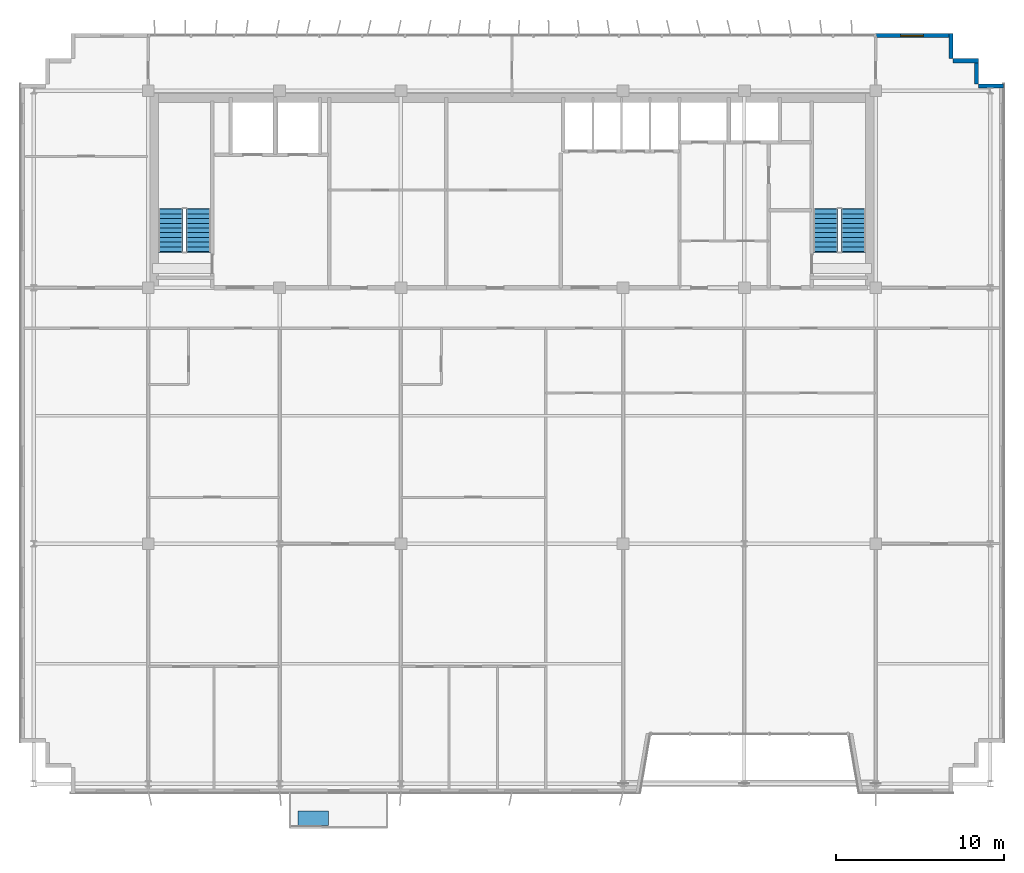
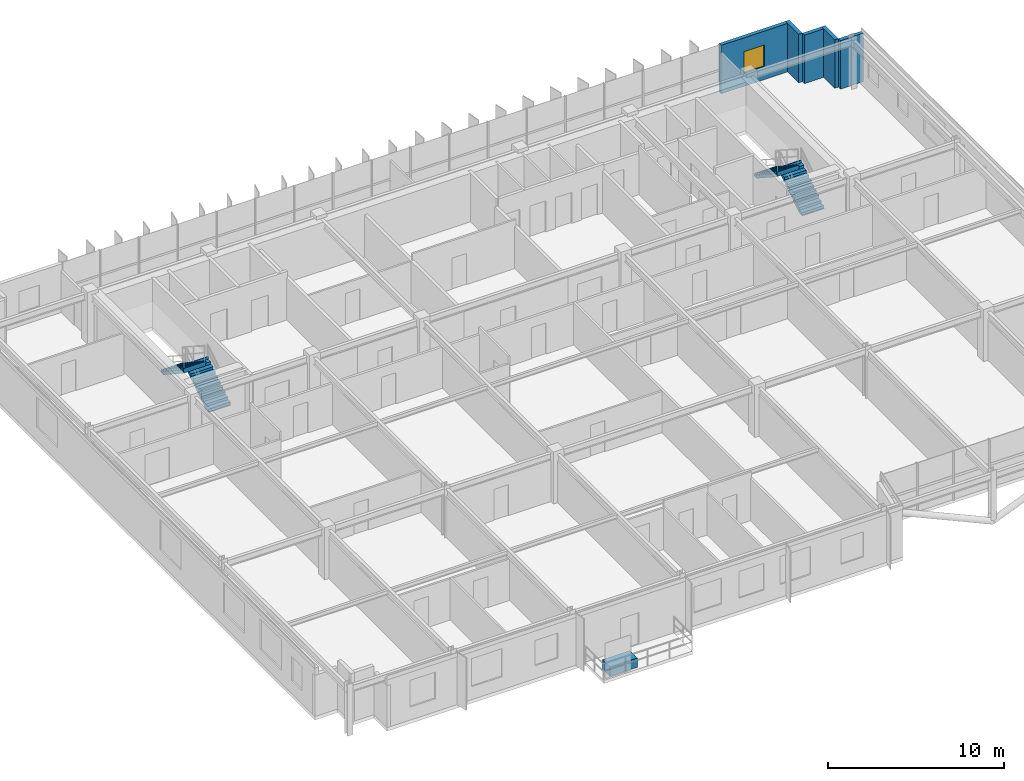
# One storey, part 25 of 27: 5 walls, 4 stair flights, 1 discrete accessory, 1 window, 1 opening, 2 elements without a shape of their own.
"""IFC4 building model written with IfcOpenShell, lengths in metres."""

from ifc_helpers import new_model, si_unit, direction, frame, frame_2d, origin, origin_2d, place, context, subcontext, project, spatial, polyline, rectangle, outline, extrude, source, transform, mapped, material, layer, layer_set, type_object, element, fill, aggregate, save


model = new_model("IFC4")

# Units and contexts
model_context = context("Model", 3, precision=1e-05, world=origin(), true_north=direction((0.0, 1.0)))
body_context = subcontext(model_context, "Body", "Model", "MODEL_VIEW")
ifc_project = project(units=[si_unit("LENGTHUNIT", "METRE"), si_unit("AREAUNIT", "SQUARE_METRE"), si_unit("VOLUMEUNIT", "CUBIC_METRE"), si_unit("PLANEANGLEUNIT", "RADIAN"), si_unit("MASSUNIT", "GRAM", prefix="KILO")], contexts=[model_context])

# Site, building, storey
site_placement = place(None, origin())
site = spatial("IfcSite", under=ifc_project, at=site_placement, CompositionType="ELEMENT")
building_placement = place(site_placement, origin())
building = spatial("IfcBuilding", under=site, at=building_placement, Name="Trelvane Seafront Commons", CompositionType="ELEMENT")
storey_placement = place(building_placement, frame((0.0, 0.0, 233.699951171875)))
storey = spatial("IfcBuildingStorey", under=building, at=storey_placement, Name="L61", CompositionType="ELEMENT", Elevation=233.699951171875)

# Wall, opening, window
ifc_material_1 = material(Name="Precast concrete C40/50", Category="concrete")
ifc_layer = layer(ifc_material_1, 0.239990234375, Name="ARCH-WALL-EXT240")
ifc_layer_set = layer_set([ifc_layer], Name="Precast concrete C40/50")
wall_type = type_object("IfcWallType", Name="ARCH-WALL-EXT240", PredefinedType="SOLIDWALL", material=ifc_layer_set)
wall_placement = place(storey_placement, frame((58.800048828125, 48.3701171875, 0.0), z_axis=(0.0, 0.0, 1.0), x_axis=(1.0, 0.0, 0.0)))
wall = element("IfcWall", 1, at=wall_placement, inside=storey, type_object=wall_type, Name="EW-L61-NE-1230", PredefinedType="SOLIDWALL", context=body_context, shape_type="SweptSolid", body=[
    extrude(rectangle(XDim=4.5, YDim=0.239990234375, at=frame_2d((2.25, 0.0))), origin(), (0.0, 0.0, 1.0), 3.360107421875),
])
opening_placement = place(wall_placement, frame((1.48291015625, 0.0, 0.89990234375)))
opening = element("IfcOpeningElement", 2, at=opening_placement, cuts=wall, Name="Opening W09", PredefinedType="OPENING", context=body_context, shape_type="SweptSolid", body=[
    extrude(rectangle(XDim=1.35009765625, YDim=1.5, at=frame_2d((0.675048828125, 0.75))), frame((0.0, 0.1298828125, 0.0), z_axis=(0.0, -1.0, 0.0), x_axis=(1.0, 0.0, 0.0)), (0.0, 0.0, 1.0), 0.260009765625),
])
ifc_material_2 = material(Name="Low-E coastal double glazing", Category="glass")
window_type = type_object("IfcWindowType", Name="ARCH-WIN-W09", PartitioningType="SINGLE_PANEL", PredefinedType="WINDOW", material=ifc_material_2)
shared_shape_1 = source(origin(), body_context, "Body", "SweptSolid", [
    extrude(rectangle(XDim=1.35009765625, YDim=1.5, at=frame_2d((0.675048828125, 0.75))), frame((0.0, 0.030029296875, 0.0), z_axis=(0.0, -1.0, 0.0), x_axis=(1.0, 0.0, 0.0)), (0.0, 0.0, 1.0), 0.06005859375),
])
window_placement = place(opening_placement, origin())
window = element("IfcWindow", 3, at=window_placement, inside=storey, type_object=window_type, Name="WIN-L61-01489", OverallHeight=1.5, OverallWidth=1.35009765625, PartitioningType="SINGLE_PANEL", PredefinedType="WINDOW", context=body_context, shape_type="MappedRepresentation", body=[
    mapped(shared_shape_1, transform((0.0, 0.0, 0.0), x_axis=(1.0, 0.0, 0.0), y_axis=(0.0, 1.0, 0.0), z_axis=(0.0, 0.0, 1.0), scale=1.0)),
])
fill(opening, window)

# Walls
for number, where, z_axis, x_axis, name in (
    (4, (63.280029296875, 48.5, 0.0), (0.0, 0.0, 1.0), (0.0, -1.0, 0.0), "EW-L61-01239"),
    (5, (63.39990234375, 46.8798828125, 0.0), (0.0, 0.0, 1.0), (1.0, 0.0, 0.0), "EW-L61-01240"),
    (6, (64.780029296875, 47.0, 0.0), (0.0, 0.0, 1.0), (0.0, -1.0, 0.0), "EW-L61-01241"),
    (7, (64.89990234375, 45.3798828125, 0.0), (0.0, 0.0, 1.0), (1.0, 0.0, 0.0), "EW-L61-01242"),
):
    element("IfcWall", number, at=place(storey_placement, frame(where, z_axis=z_axis, x_axis=x_axis)), inside=storey, type_object=wall_type, Name=name, PredefinedType="SOLIDWALL", context=body_context, shape_type="SweptSolid", body=[
        extrude(rectangle(XDim=1.5, YDim=0.239990234375, at=frame_2d((0.75, 0.0))), origin(), (0.0, 0.0, 1.0), 3.360107421875),
    ])

# Stair, stair flights
ifc_material_3 = material(Name="Concrete C40/50", Category="concrete")
stair_type_1 = type_object("IfcStairType", Name="ARCH-STR-ST-1-R20-180", PredefinedType="HALF_TURN_STAIR", material=ifc_material_3)
stair_1_placement = place(storey_placement, origin())
stair_1 = element("IfcStair", 8, at=stair_1_placement, inside=storey, type_object=stair_type_1, Name="L61 West Protected Firefighting Exit Stair ST-1", PredefinedType="HALF_TURN_STAIR")
stair_flight_type_1 = type_object("IfcStairFlightType", Name="ARCH-FLG-ST-1-R20-180", PredefinedType="STRAIGHT", material=ifc_material_3)
shared_shape_2 = source(origin(), body_context, "Body", "SweptSolid", [
    extrude(outline(polyline([(-0.050048828125, -0.02001953125), (-0.050048828125, 0.0), (0.0, 0.0), (0.0, 0.179931640625), (0.280029296875, 0.179931640625), (0.280029296875, 0.360107421875), (0.56005859375, 0.360107421875), (0.56005859375, 0.5400390625), (0.840087890625, 0.5400390625), (0.840087890625, 0.719970703125), (1.1201171875, 0.719970703125), (1.1201171875, 0.89990234375), (1.39990234375, 0.89990234375), (1.39990234375, 1.080078125), (1.679931640625, 1.080078125), (1.679931640625, 1.260009765625), (1.9599609375, 1.260009765625), (1.9599609375, 1.43994140625), (2.239990234375, 1.43994140625), (2.239990234375, 1.6201171875), (2.52001953125, 1.6201171875), (2.52001953125, 1.800048828125), (2.570068359375, 1.800048828125), (2.570068359375, 1.650146484375), (2.52001953125, 1.44189453125), (0.277099609375, -0.02001953125), (-0.050048828125, -0.02001953125)])), frame((0.0, 0.72509765625, 0.0), z_axis=(0.0, -1.0, 0.0), x_axis=(1.0, 0.0, 0.0)), (0.0, 0.0, 1.0), 1.449951171875),
])
stair_flight_1_placement = place(storey_placement, frame((18.574951171875, 35.550048828125, 0.0), z_axis=(0.0, 0.0, 1.0), x_axis=(0.0, 1.0, 0.0)))
stair_flight_1 = element("IfcStairFlight", 9, at=stair_flight_1_placement, type_object=stair_flight_type_1, Name="ST-1 flight 1", NumberOfRisers=10, NumberOfTreads=9, PredefinedType="STRAIGHT", RiserHeight=0.18, TreadLength=0.28, context=body_context, shape_type="MappedRepresentation", body=[
    mapped(shared_shape_2, transform((0.0, 0.0, 0.0), x_axis=(1.0, 0.0, 0.0), y_axis=(0.0, 1.0, 0.0), z_axis=(0.0, 0.0, 1.0), scale=1.0)),
])
stair_flight_2_placement = place(storey_placement, frame((16.925048828125, 38.070068359375, 1.800048828125), z_axis=(0.0, 0.0, 1.0), x_axis=(0.0, -1.0, 0.0)))
stair_flight_2 = element("IfcStairFlight", 10, at=stair_flight_2_placement, type_object=stair_flight_type_1, Name="ST-1 flight 2", NumberOfRisers=10, NumberOfTreads=9, PredefinedType="STRAIGHT", RiserHeight=0.18, TreadLength=0.28, context=body_context, shape_type="MappedRepresentation", body=[
    mapped(shared_shape_2, transform((0.0, 0.0, 0.0), x_axis=(1.0, 0.0, 0.0), y_axis=(0.0, 1.0, 0.0), z_axis=(0.0, 0.0, 1.0), scale=1.0)),
])
aggregate(stair_1, [stair_flight_1, stair_flight_2])

stair_type_2 = type_object("IfcStairType", Name="ARCH-STR-ST-2-R20-180", PredefinedType="HALF_TURN_STAIR", material=ifc_material_3)
stair_2_placement = place(storey_placement, origin())
stair_2 = element("IfcStair", 11, at=stair_2_placement, inside=storey, type_object=stair_type_2, Name="L61 East Protected Firefighting Exit Stair ST-2", PredefinedType="HALF_TURN_STAIR")
stair_flight_type_2 = type_object("IfcStairFlightType", Name="ARCH-FLG-ST-2-R20-180", PredefinedType="STRAIGHT", material=ifc_material_3)
stair_flight_3_placement = place(storey_placement, frame((57.47509765625, 35.550048828125, 0.0), z_axis=(0.0, 0.0, 1.0), x_axis=(0.0, 1.0, 0.0)))
stair_flight_3 = element("IfcStairFlight", 12, at=stair_flight_3_placement, type_object=stair_flight_type_2, Name="ST-2 flight 1", NumberOfRisers=10, NumberOfTreads=9, PredefinedType="STRAIGHT", RiserHeight=0.18, TreadLength=0.28, context=body_context, shape_type="MappedRepresentation", body=[
    mapped(shared_shape_2, transform((0.0, 0.0, 0.0), x_axis=(1.0, 0.0, 0.0), y_axis=(0.0, 1.0, 0.0), z_axis=(0.0, 0.0, 1.0), scale=1.0)),
])
stair_flight_4_placement = place(storey_placement, frame((55.824951171875, 38.070068359375, 1.800048828125), z_axis=(0.0, 0.0, 1.0), x_axis=(0.0, -1.0, 0.0)))
stair_flight_4 = element("IfcStairFlight", 13, at=stair_flight_4_placement, type_object=stair_flight_type_2, Name="ST-2 flight 2", NumberOfRisers=10, NumberOfTreads=9, PredefinedType="STRAIGHT", RiserHeight=0.18, TreadLength=0.28, context=body_context, shape_type="MappedRepresentation", body=[
    mapped(shared_shape_2, transform((0.0, 0.0, 0.0), x_axis=(1.0, 0.0, 0.0), y_axis=(0.0, 1.0, 0.0), z_axis=(0.0, 0.0, 1.0), scale=1.0)),
])
aggregate(stair_2, [stair_flight_3, stair_flight_4])

# Discrete accessory
discrete_accessory_type = type_object("IfcDiscreteAccessoryType", Name="ARCH-ACC-PLANTER", PredefinedType="USERDEFINED", material=ifc_material_1)
shared_shape_3 = source(origin(), body_context, "Body", "SweptSolid", [
    extrude(rectangle(XDim=1.800048828125, YDim=0.85009765625, at=origin_2d()), origin(), (0.0, 0.0, 1.0), 0.64990234375),
])
discrete_accessory_placement = place(storey_placement, frame((25.39990234375, 1.89990234375, 0.0), z_axis=(0.0, 0.0, 1.0), x_axis=(1.0, 0.0, 0.0)))
element("IfcDiscreteAccessory", 14, at=discrete_accessory_placement, inside=storey, type_object=discrete_accessory_type, Name="PLN-L61-B0-066", ObjectType="BALCONY TREE PLANTER", PredefinedType="USERDEFINED", context=body_context, shape_type="MappedRepresentation", body=[
    mapped(shared_shape_3, transform((0.0, 0.0, 0.0), x_axis=(1.0, 0.0, 0.0), y_axis=(0.0, 1.0, 0.0), z_axis=(0.0, 0.0, 1.0), scale=1.0)),
])

save(model, "model.ifc")
